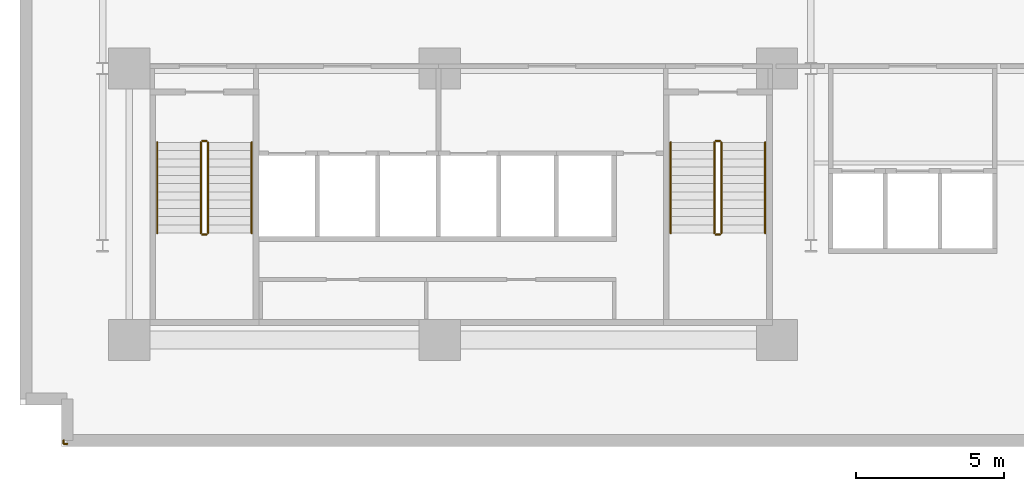
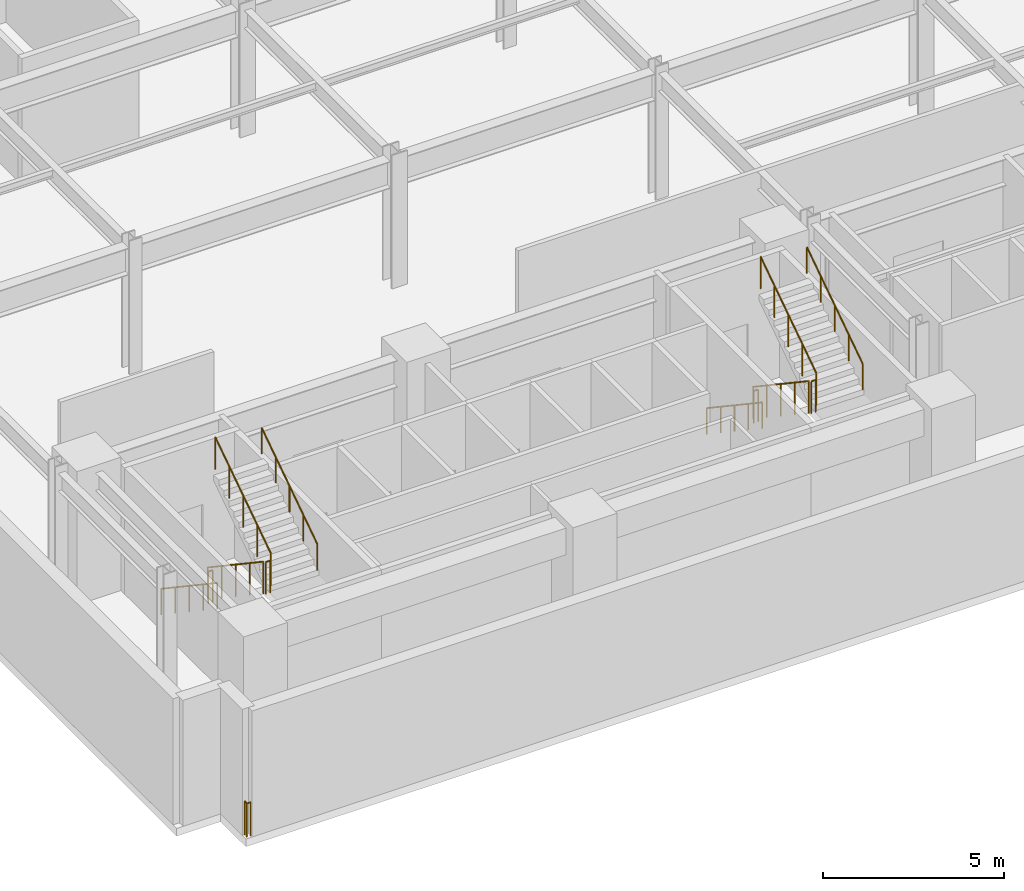
# One storey, part 10 of 14: 14 railings.
"""IFC4 building model written with IfcOpenShell, lengths in metres."""

import ifcopenshell
import ifcopenshell.guid

model = None  # the IFC model being written
_history = None  # IfcOwnerHistory: only IFC2X3 demands one
_inside = {}  # id of a spatial element -> (the spatial element, [elements in it])
_under = {}  # id of a project, library or spatial element -> (it, [spatial elements below it])
_declared = {}  # id of a project -> (the project, [libraries it declares])
_typed = {}  # id of a type object -> (the type object, [elements of that type])
_made_of = {}  # id of a material, layer set ... -> (it, [elements and type objects made of it])


def new_model(schema):
    """Start an empty IFC model of exactly this schema.

    Asked for "IFC4X3", IfcOpenShell would pick the latest addendum, in which some entities
    have other attributes; the version numbers below select the first issue.
    IFC2X3 requires an IfcOwnerHistory on every rooted entity: one is made here for all.
    """
    global model, _history
    if schema == "IFC4X3":
        model = ifcopenshell.file(schema_version=(4, 3, 0, 0))
    else:
        model = ifcopenshell.file(schema=schema)
    _inside.clear()
    _under.clear()
    _declared.clear()
    _typed.clear()
    _made_of.clear()
    _history = None
    if model.schema == "IFC2X3":
        org = make("IfcOrganization", Name="unknown")
        user = make(
            "IfcPersonAndOrganization",
            ThePerson=make("IfcPerson", FamilyName="unknown"),
            TheOrganization=org,
        )
        app = make(
            "IfcApplication",
            ApplicationDeveloper=org,
            Version="unknown",
            ApplicationFullName="unknown",
            ApplicationIdentifier="unknown",
        )
        _history = make(
            "IfcOwnerHistory",
            OwningUser=user,
            OwningApplication=app,
            ChangeAction="ADDED",
            CreationDate=0,
        )
    return model


def make(cls, **values):
    """One entity of the class cls with the attributes given. An attribute that is None is left unset."""
    return model.create_entity(
        cls, **{name: value for name, value in values.items() if value is not None}
    )


def rooted(cls, **values):
    """An entity with a GlobalId (a new one), such as an element, a storey or a relation."""
    return make(cls, GlobalId=ifcopenshell.guid.new(), OwnerHistory=_history, **values)


def si_unit(unit_type, name, prefix=None):
    """IfcSIUnit, for example si_unit("LENGTHUNIT", "METRE", prefix="MILLI")."""
    return make("IfcSIUnit", UnitType=unit_type, Prefix=prefix, Name=name)


def assignment(units):
    """IfcUnitAssignment: the units of a project."""
    return None if units is None else make("IfcUnitAssignment", Units=units)


def point(xyz):
    """IfcCartesianPoint."""
    return None if xyz is None else make("IfcCartesianPoint", Coordinates=xyz)


def direction(xyz):
    """IfcDirection."""
    return None if xyz is None else make("IfcDirection", DirectionRatios=xyz)


def frame(location, z_axis=None, x_axis=None):
    """IfcAxis2Placement3D, a coordinate frame: its origin and axes. An axis left out is left unset."""
    return make(
        "IfcAxis2Placement3D",
        Location=point(location),
        Axis=direction(z_axis),
        RefDirection=direction(x_axis),
    )


def frame_2d(location, x_axis=None):
    """IfcAxis2Placement2D, a coordinate frame in the plane: its origin and x axis."""
    return make(
        "IfcAxis2Placement2D", Location=point(location), RefDirection=direction(x_axis)
    )


def origin():
    """The frame at (0, 0, 0) with its axes left unset."""
    return frame((0.0, 0.0, 0.0))


def origin_2d():
    """The frame at (0, 0) in the plane with its x axis left unset."""
    return frame_2d((0.0, 0.0))


def place(relative_to, where):
    """IfcLocalPlacement: puts the frame where relative to a parent placement (None: the world)."""
    return make(
        "IfcLocalPlacement", PlacementRelTo=relative_to, RelativePlacement=where
    )


def context(
    kind, dimensions, precision=None, world=None, true_north=None, identifier=None
):
    """IfcGeometricRepresentationContext, for example the 3D "Model" context."""
    return make(
        "IfcGeometricRepresentationContext",
        ContextIdentifier=identifier,
        ContextType=kind,
        CoordinateSpaceDimension=dimensions,
        Precision=precision,
        WorldCoordinateSystem=world,
        TrueNorth=true_north,
    )


def subcontext(parent, identifier, kind, view, scale=None):
    """IfcGeometricRepresentationSubContext, for example "Body" below "Model"."""
    return make(
        "IfcGeometricRepresentationSubContext",
        ContextIdentifier=identifier,
        ContextType=kind,
        ParentContext=parent,
        TargetScale=scale,
        TargetView=view,
    )


def project(units=None, contexts=None):
    """IfcProject with its units and contexts."""
    return rooted(
        "IfcProject",
        Name="project",
        RepresentationContexts=contexts,
        UnitsInContext=assignment(units),
    )


def spatial(cls, under=None, at=None, **own):
    """A site, building, storey or space (cls), placed at a placement, below another one or the project."""
    s = rooted(cls, ObjectPlacement=at, **own)
    if under is not None:
        _under.setdefault(under.id(), (under, []))[1].append(s)
    return s


def profile(cls, at=None, kind="AREA", **sizes):
    """A parametric profile (cls). Its sizes go by their IFC names, for example OverallWidth=200.0."""
    return make(cls, ProfileType=kind, Position=at, **sizes)


def circle(**sizes):
    """IfcCircleProfileDef."""
    return profile("IfcCircleProfileDef", **sizes)


def extrude(swept, where, along, depth):
    """IfcExtrudedAreaSolid: the profile swept, set in the frame where, extruded along a direction by depth."""
    return make(
        "IfcExtrudedAreaSolid",
        SweptArea=swept,
        Position=where,
        ExtrudedDirection=direction(along),
        Depth=depth,
    )


def shape(context_of_items, identifier, shape_type, items):
    """IfcShapeRepresentation: the items that make up one representation, for example the "Body"."""
    return make(
        "IfcShapeRepresentation",
        ContextOfItems=context_of_items,
        RepresentationIdentifier=identifier,
        RepresentationType=shape_type,
        Items=items,
    )


def material(Name=None, Category=None):
    """IfcMaterial."""
    return make("IfcMaterial", Name=Name, Category=Category)


def made_of(thing, what):
    """Note that an element or type object is made of a material, layer set ...; save() writes the relation."""
    if what is not None:
        _made_of.setdefault(what.id(), (what, []))[1].append(thing)
    return thing


def type_object(cls, material=None, **own):
    """A type object (cls), such as IfcWallType, which elements share."""
    return made_of(rooted(cls, **own), material)


def element(
    cls,
    number,
    at=None,
    inside=None,
    cuts=None,
    type_object=None,
    material=None,
    context=None,
    identifier="Body",
    shape_type=None,
    held_by="IfcProductDefinitionShape",
    body=None,
    shapes=None,
    **own,
):
    """One element of the class cls, such as IfcWall. Its Tag is "e" and its number.

    at: its placement. inside: the storey or other place that contains it. cuts: it is an
    opening in that element (IfcRelVoidsElement). A single representation is given by context,
    identifier, shape_type and body (its items); several are given by shapes. held_by: the class
    of the entity that holds the representations. save() writes the other relations.
    """
    e = rooted(cls, Tag="e%d" % number, ObjectPlacement=at, **own)
    if body is not None:
        shapes = [shape(context, identifier, shape_type, body)]
    if shapes is not None:
        e.Representation = make(held_by, Representations=shapes)
    if inside is not None:
        _inside.setdefault(inside.id(), (inside, []))[1].append(e)
    if cuts is not None:
        rooted(
            "IfcRelVoidsElement", RelatingBuildingElement=cuts, RelatedOpeningElement=e
        )
    if type_object is not None:
        _typed.setdefault(type_object.id(), (type_object, []))[1].append(e)
    return made_of(e, material)


def aggregate(whole, parts):
    """IfcRelAggregates: a whole, such as a stair, and the parts it consists of."""
    return rooted("IfcRelAggregates", RelatingObject=whole, RelatedObjects=parts)


def save(model, path):
    """Write the relations noted so far, then the file.

    IfcRelAggregates (storeys below a building ...), IfcRelContainedInSpatialStructure (elements
    in a storey), IfcRelDefinesByType, IfcRelAssociatesMaterial and IfcRelDeclares: one each for
    every whole, place, type object, material and project.
    """
    for whole, parts in _under.values():
        aggregate(whole, parts)
    for where, things in _inside.values():
        rooted(
            "IfcRelContainedInSpatialStructure",
            RelatedElements=things,
            RelatingStructure=where,
        )
    for kind, things in _typed.values():
        rooted("IfcRelDefinesByType", RelatedObjects=things, RelatingType=kind)
    for what, things in _made_of.values():
        rooted("IfcRelAssociatesMaterial", RelatedObjects=things, RelatingMaterial=what)
    for by, libraries in _declared.values():
        rooted("IfcRelDeclares", RelatingContext=by, RelatedDefinitions=libraries)
    model.write(path)


model = new_model("IFC4")

# Units and contexts
model_context = context("Model", 3, precision=1e-05, world=origin(), true_north=direction((0.0, 1.0)))
body_context = subcontext(model_context, "Body", "Model", "MODEL_VIEW")
ifc_project = project(units=[si_unit("LENGTHUNIT", "METRE"), si_unit("AREAUNIT", "SQUARE_METRE"), si_unit("VOLUMEUNIT", "CUBIC_METRE"), si_unit("PLANEANGLEUNIT", "RADIAN"), si_unit("MASSUNIT", "GRAM", prefix="KILO")], contexts=[model_context])

# Site, building, storey
site_placement = place(None, origin())
site = spatial("IfcSite", under=ifc_project, at=site_placement, CompositionType="ELEMENT")
building_placement = place(site_placement, origin())
building = spatial("IfcBuilding", under=site, at=building_placement, Name="Varnakote Quay Hospital", CompositionType="ELEMENT")
storey_placement = place(building_placement, frame((0.0, 0.0, -4.5)))
storey = spatial("IfcBuildingStorey", under=building, at=storey_placement, Name="B01", CompositionType="ELEMENT", Elevation=-4.5)

# Railings
ifc_material_1 = material(Name="Anodised aluminium 6063-T6 Bronze", Category="aluminium")
railing_type_1 = type_object("IfcRailingType", Name="RLG-EXT-GUARD-1150", PredefinedType="GUARDRAIL", material=ifc_material_1)
railing_1_placement = place(storey_placement, frame((0.0, -0.719970703125, 0.0)))
element("IfcRailing", 1, at=railing_1_placement, inside=storey, type_object=railing_type_1, Name="B01 Slab Edge Perimeter Safety Guard", PredefinedType="GUARDRAIL", context=body_context, shape_type="SweptSolid", body=[
    extrude(circle(Radius=0.02392578125, at=origin_2d()), frame((0.0, 0.0, 1.1259765625), z_axis=(-1.0, 0.0, 0.0), x_axis=(0.0, -1.0, 0.0)), (0.0, 0.0, 1.0), 0.1201171875),
    extrude(circle(Radius=0.02099609375, at=origin_2d()), origin(), (0.0, 0.0, 1.0), 1.101806640625),
    extrude(circle(Radius=0.02099609375, at=origin_2d()), frame((-0.1201171875, 0.0, 0.0)), (0.0, 0.0, 1.0), 1.101806640625),
])
railing_2_placement = place(storey_placement, frame((-0.1201171875, -0.719970703125, 0.0)))
element("IfcRailing", 2, at=railing_2_placement, inside=storey, type_object=railing_type_1, Name="B01 Slab Edge Perimeter Safety Guard", PredefinedType="GUARDRAIL", context=body_context, shape_type="SweptSolid", body=[
    extrude(circle(Radius=0.02392578125, at=origin_2d()), frame((0.0, 0.0, 1.1259765625), z_axis=(0.0, 1.0, 0.0), x_axis=(-1.0, 0.0, 0.0)), (0.0, 0.0, 1.0), 0.119873046875),
    extrude(circle(Radius=0.02099609375, at=origin_2d()), origin(), (0.0, 0.0, 1.0), 1.101806640625),
    extrude(circle(Radius=0.02099609375, at=origin_2d()), frame((0.0, 0.119873046875, 0.0)), (0.0, 0.0, 1.0), 1.101806640625),
])
ifc_material_2 = material(Name="Brushed stainless steel balustrade", Category="steel")
railing_type_2 = type_object("IfcRailingType", Name="RLG-STAIR-GUARD-1150", PredefinedType="GUARDRAIL", material=ifc_material_2)
railing_3_placement = place(storey_placement, frame((4.530029296875, 9.5, 0.1875)))
element("IfcRailing", 3, at=railing_3_placement, inside=storey, type_object=railing_type_2, Name="B01 ST-01 stair guard 1", PredefinedType="GUARDRAIL", context=body_context, shape_type="SweptSolid", body=[
    extrude(circle(Radius=0.02392578125, at=origin_2d()), frame((0.0, 0.0, 1.076171875), z_axis=(0.0, -0.830913701846, 0.55640131208), x_axis=(1.0, 0.0, 0.0)), (0.0, 0.0, 1.0), 3.706787109375),
    extrude(circle(Radius=0.02099609375, at=origin_2d()), origin(), (0.0, 0.0, 1.0), 1.052001953125),
    extrude(circle(Radius=0.02099609375, at=origin_2d()), frame((0.0, -0.77001953125, 0.515625)), (0.0, 0.0, 1.0), 1.052001953125),
    extrude(circle(Radius=0.02099609375, at=origin_2d()), frame((0.0, -1.5400390625, 1.03125)), (0.0, 0.0, 1.0), 1.052001953125),
    extrude(circle(Radius=0.02099609375, at=origin_2d()), frame((0.0, -2.31005859375, 1.546875)), (0.0, 0.0, 1.0), 1.052001953125),
    extrude(circle(Radius=0.02099609375, at=origin_2d()), frame((0.0, -3.080078125, 2.0625)), (0.0, 0.0, 1.0), 1.052001953125),
])
railing_4_placement = place(storey_placement, frame((4.580078125, 6.3701171875, 2.25)))
element("IfcRailing", 4, at=railing_4_placement, inside=storey, type_object=railing_type_2, Name="B01 ST-01 stair guard 2", PredefinedType="GUARDRAIL", context=body_context, shape_type="SweptSolid", body=[
    extrude(circle(Radius=0.02392578125, at=origin_2d()), frame((0.0, 0.0, 1.076171875), z_axis=(1.0, 0.0, 0.0), x_axis=(0.0, 1.0, 0.0)), (0.0, 0.0, 1.0), 0.139892578125),
    extrude(circle(Radius=0.02099609375, at=origin_2d()), origin(), (0.0, 0.0, 1.0), 1.052001953125),
    extrude(circle(Radius=0.02099609375, at=origin_2d()), frame((0.139892578125, 0.0, 0.0)), (0.0, 0.0, 1.0), 1.052001953125),
])
railing_5_placement = place(storey_placement, frame((4.77001953125, 6.419921875, 2.4375)))
element("IfcRailing", 5, at=railing_5_placement, inside=storey, type_object=railing_type_2, Name="B01 ST-01 stair guard 3", PredefinedType="GUARDRAIL", context=body_context, shape_type="SweptSolid", body=[
    extrude(circle(Radius=0.02392578125, at=origin_2d()), frame((0.0, 0.0, 1.076171875), z_axis=(0.0, 0.830913701846, 0.55640131208), x_axis=(-1.0, 0.0, 0.0)), (0.0, 0.0, 1.0), 3.706787109375),
    extrude(circle(Radius=0.02099609375, at=origin_2d()), origin(), (0.0, 0.0, 1.0), 1.052001953125),
    extrude(circle(Radius=0.02099609375, at=origin_2d()), frame((0.0, 0.77001953125, 0.515625)), (0.0, 0.0, 1.0), 1.052001953125),
    extrude(circle(Radius=0.02099609375, at=origin_2d()), frame((0.0, 1.5400390625, 1.03125)), (0.0, 0.0, 1.0), 1.052001953125),
    extrude(circle(Radius=0.02099609375, at=origin_2d()), frame((0.0, 2.31005859375, 1.546875)), (0.0, 0.0, 1.0), 1.052001953125),
    extrude(circle(Radius=0.02099609375, at=origin_2d()), frame((0.0, 3.080078125, 2.0625)), (0.0, 0.0, 1.0), 1.052001953125),
])
railing_6_placement = place(storey_placement, frame((4.580078125, 9.550048828125, 0.0)))
element("IfcRailing", 6, at=railing_6_placement, inside=storey, type_object=railing_type_2, Name="B01 ST-01 stair guard 4", PredefinedType="GUARDRAIL", context=body_context, shape_type="SweptSolid", body=[
    extrude(circle(Radius=0.02392578125, at=origin_2d()), frame((0.0, 0.0, 1.076171875), z_axis=(1.0, 0.0, 0.0), x_axis=(0.0, 1.0, 0.0)), (0.0, 0.0, 1.0), 0.139892578125),
    extrude(circle(Radius=0.02099609375, at=origin_2d()), origin(), (0.0, 0.0, 1.0), 1.052001953125),
    extrude(circle(Radius=0.02099609375, at=origin_2d()), frame((0.139892578125, 0.0, 0.0)), (0.0, 0.0, 1.0), 1.052001953125),
])
railing_7_placement = place(storey_placement, frame((21.929931640625, 9.5, 0.1875)))
element("IfcRailing", 7, at=railing_7_placement, inside=storey, type_object=railing_type_2, Name="B01 ST-02 stair guard 1", PredefinedType="GUARDRAIL", context=body_context, shape_type="SweptSolid", body=[
    extrude(circle(Radius=0.02392578125, at=origin_2d()), frame((0.0, 0.0, 1.076171875), z_axis=(0.0, -0.830913701846, 0.55640131208), x_axis=(1.0, 0.0, 0.0)), (0.0, 0.0, 1.0), 3.706787109375),
    extrude(circle(Radius=0.02099609375, at=origin_2d()), origin(), (0.0, 0.0, 1.0), 1.052001953125),
    extrude(circle(Radius=0.02099609375, at=origin_2d()), frame((0.0, -0.77001953125, 0.515625)), (0.0, 0.0, 1.0), 1.052001953125),
    extrude(circle(Radius=0.02099609375, at=origin_2d()), frame((0.0, -1.5400390625, 1.03125)), (0.0, 0.0, 1.0), 1.052001953125),
    extrude(circle(Radius=0.02099609375, at=origin_2d()), frame((0.0, -2.31005859375, 1.546875)), (0.0, 0.0, 1.0), 1.052001953125),
    extrude(circle(Radius=0.02099609375, at=origin_2d()), frame((0.0, -3.080078125, 2.0625)), (0.0, 0.0, 1.0), 1.052001953125),
])
railing_8_placement = place(storey_placement, frame((21.97998046875, 6.3701171875, 2.25)))
element("IfcRailing", 8, at=railing_8_placement, inside=storey, type_object=railing_type_2, Name="B01 ST-02 stair guard 2", PredefinedType="GUARDRAIL", context=body_context, shape_type="SweptSolid", body=[
    extrude(circle(Radius=0.02392578125, at=origin_2d()), frame((0.0, 0.0, 1.076171875), z_axis=(1.0, 0.0, 0.0), x_axis=(0.0, 1.0, 0.0)), (0.0, 0.0, 1.0), 0.14013671875),
    extrude(circle(Radius=0.02099609375, at=origin_2d()), origin(), (0.0, 0.0, 1.0), 1.052001953125),
    extrude(circle(Radius=0.02099609375, at=origin_2d()), frame((0.14013671875, 0.0, 0.0)), (0.0, 0.0, 1.0), 1.052001953125),
])
railing_9_placement = place(storey_placement, frame((22.169921875, 6.419921875, 2.4375)))
element("IfcRailing", 9, at=railing_9_placement, inside=storey, type_object=railing_type_2, Name="B01 ST-02 stair guard 3", PredefinedType="GUARDRAIL", context=body_context, shape_type="SweptSolid", body=[
    extrude(circle(Radius=0.02392578125, at=origin_2d()), frame((0.0, 0.0, 1.076171875), z_axis=(0.0, 0.830913701846, 0.55640131208), x_axis=(-1.0, 0.0, 0.0)), (0.0, 0.0, 1.0), 3.706787109375),
    extrude(circle(Radius=0.02099609375, at=origin_2d()), origin(), (0.0, 0.0, 1.0), 1.052001953125),
    extrude(circle(Radius=0.02099609375, at=origin_2d()), frame((0.0, 0.77001953125, 0.515625)), (0.0, 0.0, 1.0), 1.052001953125),
    extrude(circle(Radius=0.02099609375, at=origin_2d()), frame((0.0, 1.5400390625, 1.03125)), (0.0, 0.0, 1.0), 1.052001953125),
    extrude(circle(Radius=0.02099609375, at=origin_2d()), frame((0.0, 2.31005859375, 1.546875)), (0.0, 0.0, 1.0), 1.052001953125),
    extrude(circle(Radius=0.02099609375, at=origin_2d()), frame((0.0, 3.080078125, 2.0625)), (0.0, 0.0, 1.0), 1.052001953125),
])
railing_10_placement = place(storey_placement, frame((21.97998046875, 9.550048828125, 0.0)))
element("IfcRailing", 10, at=railing_10_placement, inside=storey, type_object=railing_type_2, Name="B01 ST-02 stair guard 4", PredefinedType="GUARDRAIL", context=body_context, shape_type="SweptSolid", body=[
    extrude(circle(Radius=0.02392578125, at=origin_2d()), frame((0.0, 0.0, 1.076171875), z_axis=(1.0, 0.0, 0.0), x_axis=(0.0, 1.0, 0.0)), (0.0, 0.0, 1.0), 0.14013671875),
    extrude(circle(Radius=0.02099609375, at=origin_2d()), origin(), (0.0, 0.0, 1.0), 1.052001953125),
    extrude(circle(Radius=0.02099609375, at=origin_2d()), frame((0.14013671875, 0.0, 0.0)), (0.0, 0.0, 1.0), 1.052001953125),
])
ifc_material_3 = material(Name="Brushed stainless steel handrail", Category="steel")
railing_type_3 = type_object("IfcRailingType", Name="RLG-STAIR-HND-920", PredefinedType="HANDRAIL", material=ifc_material_3)
railing_11_placement = place(storey_placement, frame((3.050048828125, 9.5, 0.1875)))
element("IfcRailing", 11, at=railing_11_placement, inside=storey, type_object=railing_type_3, Name="B01 ST-01 stair handrail 1", PredefinedType="HANDRAIL", context=body_context, shape_type="SweptSolid", body=[
    extrude(circle(Radius=0.02392578125, at=origin_2d()), frame((0.0, 0.0, 0.8759765625), z_axis=(0.0, -0.830913701846, 0.55640131208), x_axis=(1.0, 0.0, 0.0)), (0.0, 0.0, 1.0), 3.706787109375),
    extrude(circle(Radius=0.02099609375, at=origin_2d()), origin(), (0.0, 0.0, 1.0), 0.851806640625),
    extrude(circle(Radius=0.02099609375, at=origin_2d()), frame((0.0, -0.77001953125, 0.515625)), (0.0, 0.0, 1.0), 0.851806640625),
    extrude(circle(Radius=0.02099609375, at=origin_2d()), frame((0.0, -1.5400390625, 1.03125)), (0.0, 0.0, 1.0), 0.851806640625),
    extrude(circle(Radius=0.02099609375, at=origin_2d()), frame((0.0, -2.31005859375, 1.546875)), (0.0, 0.0, 1.0), 0.851806640625),
    extrude(circle(Radius=0.02099609375, at=origin_2d()), frame((0.0, -3.080078125, 2.0625)), (0.0, 0.0, 1.0), 0.851806640625),
])
railing_12_placement = place(storey_placement, frame((6.25, 6.419921875, 2.4375)))
element("IfcRailing", 12, at=railing_12_placement, inside=storey, type_object=railing_type_3, Name="B01 ST-01 stair handrail 2", PredefinedType="HANDRAIL", context=body_context, shape_type="SweptSolid", body=[
    extrude(circle(Radius=0.02392578125, at=origin_2d()), frame((0.0, 0.0, 0.8759765625), z_axis=(0.0, 0.830913701846, 0.55640131208), x_axis=(-1.0, 0.0, 0.0)), (0.0, 0.0, 1.0), 3.706787109375),
    extrude(circle(Radius=0.02099609375, at=origin_2d()), origin(), (0.0, 0.0, 1.0), 0.851806640625),
    extrude(circle(Radius=0.02099609375, at=origin_2d()), frame((0.0, 0.77001953125, 0.515625)), (0.0, 0.0, 1.0), 0.851806640625),
    extrude(circle(Radius=0.02099609375, at=origin_2d()), frame((0.0, 1.5400390625, 1.03125)), (0.0, 0.0, 1.0), 0.851806640625),
    extrude(circle(Radius=0.02099609375, at=origin_2d()), frame((0.0, 2.31005859375, 1.546875)), (0.0, 0.0, 1.0), 0.851806640625),
    extrude(circle(Radius=0.02099609375, at=origin_2d()), frame((0.0, 3.080078125, 2.0625)), (0.0, 0.0, 1.0), 0.851806640625),
])
railing_13_placement = place(storey_placement, frame((20.449951171875, 9.5, 0.1875)))
element("IfcRailing", 13, at=railing_13_placement, inside=storey, type_object=railing_type_3, Name="B01 ST-02 stair handrail 1", PredefinedType="HANDRAIL", context=body_context, shape_type="SweptSolid", body=[
    extrude(circle(Radius=0.02392578125, at=origin_2d()), frame((0.0, 0.0, 0.8759765625), z_axis=(0.0, -0.830913701846, 0.55640131208), x_axis=(1.0, 0.0, 0.0)), (0.0, 0.0, 1.0), 3.706787109375),
    extrude(circle(Radius=0.02099609375, at=origin_2d()), origin(), (0.0, 0.0, 1.0), 0.851806640625),
    extrude(circle(Radius=0.02099609375, at=origin_2d()), frame((0.0, -0.77001953125, 0.515625)), (0.0, 0.0, 1.0), 0.851806640625),
    extrude(circle(Radius=0.02099609375, at=origin_2d()), frame((0.0, -1.5400390625, 1.03125)), (0.0, 0.0, 1.0), 0.851806640625),
    extrude(circle(Radius=0.02099609375, at=origin_2d()), frame((0.0, -2.31005859375, 1.546875)), (0.0, 0.0, 1.0), 0.851806640625),
    extrude(circle(Radius=0.02099609375, at=origin_2d()), frame((0.0, -3.080078125, 2.0625)), (0.0, 0.0, 1.0), 0.851806640625),
])
railing_14_placement = place(storey_placement, frame((23.64990234375, 6.419921875, 2.4375)))
element("IfcRailing", 14, at=railing_14_placement, inside=storey, type_object=railing_type_3, Name="B01 ST-02 stair handrail 2", PredefinedType="HANDRAIL", context=body_context, shape_type="SweptSolid", body=[
    extrude(circle(Radius=0.02392578125, at=origin_2d()), frame((0.0, 0.0, 0.8759765625), z_axis=(0.0, 0.830913701846, 0.55640131208), x_axis=(-1.0, 0.0, 0.0)), (0.0, 0.0, 1.0), 3.706787109375),
    extrude(circle(Radius=0.02099609375, at=origin_2d()), origin(), (0.0, 0.0, 1.0), 0.851806640625),
    extrude(circle(Radius=0.02099609375, at=origin_2d()), frame((0.0, 0.77001953125, 0.515625)), (0.0, 0.0, 1.0), 0.851806640625),
    extrude(circle(Radius=0.02099609375, at=origin_2d()), frame((0.0, 1.5400390625, 1.03125)), (0.0, 0.0, 1.0), 0.851806640625),
    extrude(circle(Radius=0.02099609375, at=origin_2d()), frame((0.0, 2.31005859375, 1.546875)), (0.0, 0.0, 1.0), 0.851806640625),
    extrude(circle(Radius=0.02099609375, at=origin_2d()), frame((0.0, 3.080078125, 2.0625)), (0.0, 0.0, 1.0), 0.851806640625),
])

save(model, "model.ifc")
